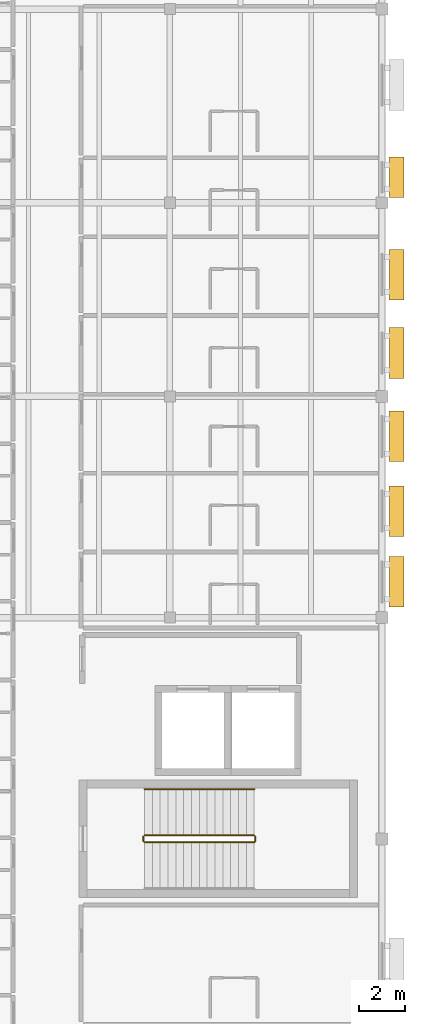
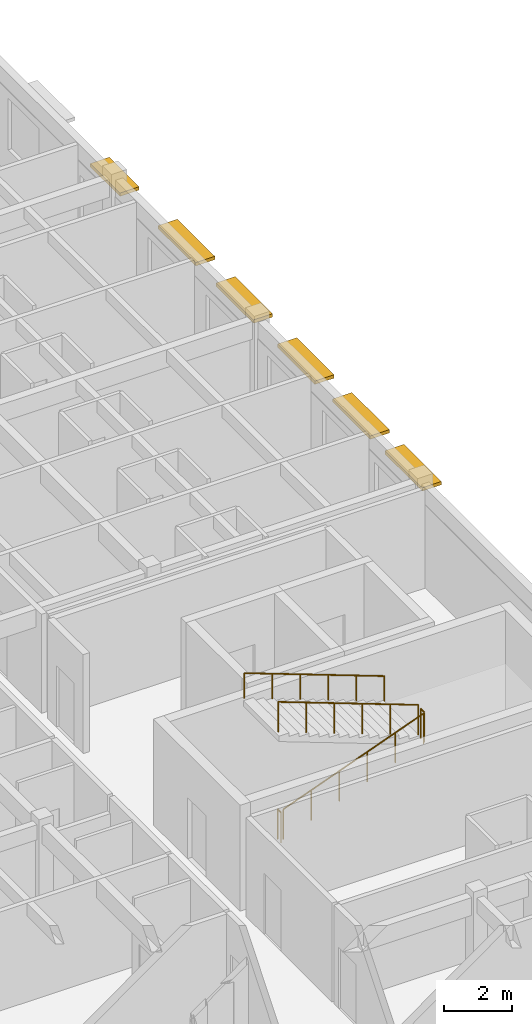
# One storey, part 19 of 22: 6 shading devices, 5 railings.
"""IFC4 building model written with IfcOpenShell, lengths in metres."""

import ifcopenshell
import ifcopenshell.guid

model = None  # the IFC model being written
_history = None  # IfcOwnerHistory: only IFC2X3 demands one
_inside = {}  # id of a spatial element -> (the spatial element, [elements in it])
_under = {}  # id of a project, library or spatial element -> (it, [spatial elements below it])
_declared = {}  # id of a project -> (the project, [libraries it declares])
_typed = {}  # id of a type object -> (the type object, [elements of that type])
_made_of = {}  # id of a material, layer set ... -> (it, [elements and type objects made of it])


def new_model(schema):
    """Start an empty IFC model of exactly this schema.

    Asked for "IFC4X3", IfcOpenShell would pick the latest addendum, in which some entities
    have other attributes; the version numbers below select the first issue.
    IFC2X3 requires an IfcOwnerHistory on every rooted entity: one is made here for all.
    """
    global model, _history
    if schema == "IFC4X3":
        model = ifcopenshell.file(schema_version=(4, 3, 0, 0))
    else:
        model = ifcopenshell.file(schema=schema)
    _inside.clear()
    _under.clear()
    _declared.clear()
    _typed.clear()
    _made_of.clear()
    _history = None
    if model.schema == "IFC2X3":
        org = make("IfcOrganization", Name="unknown")
        user = make(
            "IfcPersonAndOrganization",
            ThePerson=make("IfcPerson", FamilyName="unknown"),
            TheOrganization=org,
        )
        app = make(
            "IfcApplication",
            ApplicationDeveloper=org,
            Version="unknown",
            ApplicationFullName="unknown",
            ApplicationIdentifier="unknown",
        )
        _history = make(
            "IfcOwnerHistory",
            OwningUser=user,
            OwningApplication=app,
            ChangeAction="ADDED",
            CreationDate=0,
        )
    return model


def make(cls, **values):
    """One entity of the class cls with the attributes given. An attribute that is None is left unset."""
    return model.create_entity(
        cls, **{name: value for name, value in values.items() if value is not None}
    )


def rooted(cls, **values):
    """An entity with a GlobalId (a new one), such as an element, a storey or a relation."""
    return make(cls, GlobalId=ifcopenshell.guid.new(), OwnerHistory=_history, **values)


def si_unit(unit_type, name, prefix=None):
    """IfcSIUnit, for example si_unit("LENGTHUNIT", "METRE", prefix="MILLI")."""
    return make("IfcSIUnit", UnitType=unit_type, Prefix=prefix, Name=name)


def assignment(units):
    """IfcUnitAssignment: the units of a project."""
    return None if units is None else make("IfcUnitAssignment", Units=units)


def point(xyz):
    """IfcCartesianPoint."""
    return None if xyz is None else make("IfcCartesianPoint", Coordinates=xyz)


def direction(xyz):
    """IfcDirection."""
    return None if xyz is None else make("IfcDirection", DirectionRatios=xyz)


def frame(location, z_axis=None, x_axis=None):
    """IfcAxis2Placement3D, a coordinate frame: its origin and axes. An axis left out is left unset."""
    return make(
        "IfcAxis2Placement3D",
        Location=point(location),
        Axis=direction(z_axis),
        RefDirection=direction(x_axis),
    )


def frame_2d(location, x_axis=None):
    """IfcAxis2Placement2D, a coordinate frame in the plane: its origin and x axis."""
    return make(
        "IfcAxis2Placement2D", Location=point(location), RefDirection=direction(x_axis)
    )


def origin():
    """The frame at (0, 0, 0) with its axes left unset."""
    return frame((0.0, 0.0, 0.0))


def origin_2d():
    """The frame at (0, 0) in the plane with its x axis left unset."""
    return frame_2d((0.0, 0.0))


def place(relative_to, where):
    """IfcLocalPlacement: puts the frame where relative to a parent placement (None: the world)."""
    return make(
        "IfcLocalPlacement", PlacementRelTo=relative_to, RelativePlacement=where
    )


def context(
    kind, dimensions, precision=None, world=None, true_north=None, identifier=None
):
    """IfcGeometricRepresentationContext, for example the 3D "Model" context."""
    return make(
        "IfcGeometricRepresentationContext",
        ContextIdentifier=identifier,
        ContextType=kind,
        CoordinateSpaceDimension=dimensions,
        Precision=precision,
        WorldCoordinateSystem=world,
        TrueNorth=true_north,
    )


def subcontext(parent, identifier, kind, view, scale=None):
    """IfcGeometricRepresentationSubContext, for example "Body" below "Model"."""
    return make(
        "IfcGeometricRepresentationSubContext",
        ContextIdentifier=identifier,
        ContextType=kind,
        ParentContext=parent,
        TargetScale=scale,
        TargetView=view,
    )


def project(units=None, contexts=None):
    """IfcProject with its units and contexts."""
    return rooted(
        "IfcProject",
        Name="project",
        RepresentationContexts=contexts,
        UnitsInContext=assignment(units),
    )


def spatial(cls, under=None, at=None, **own):
    """A site, building, storey or space (cls), placed at a placement, below another one or the project."""
    s = rooted(cls, ObjectPlacement=at, **own)
    if under is not None:
        _under.setdefault(under.id(), (under, []))[1].append(s)
    return s


def profile(cls, at=None, kind="AREA", **sizes):
    """A parametric profile (cls). Its sizes go by their IFC names, for example OverallWidth=200.0."""
    return make(cls, ProfileType=kind, Position=at, **sizes)


def rectangle(**sizes):
    """IfcRectangleProfileDef."""
    return profile("IfcRectangleProfileDef", **sizes)


def circle(**sizes):
    """IfcCircleProfileDef."""
    return profile("IfcCircleProfileDef", **sizes)


def extrude(swept, where, along, depth):
    """IfcExtrudedAreaSolid: the profile swept, set in the frame where, extruded along a direction by depth."""
    return make(
        "IfcExtrudedAreaSolid",
        SweptArea=swept,
        Position=where,
        ExtrudedDirection=direction(along),
        Depth=depth,
    )


def shape(context_of_items, identifier, shape_type, items):
    """IfcShapeRepresentation: the items that make up one representation, for example the "Body"."""
    return make(
        "IfcShapeRepresentation",
        ContextOfItems=context_of_items,
        RepresentationIdentifier=identifier,
        RepresentationType=shape_type,
        Items=items,
    )


def material(Name=None, Category=None):
    """IfcMaterial."""
    return make("IfcMaterial", Name=Name, Category=Category)


def made_of(thing, what):
    """Note that an element or type object is made of a material, layer set ...; save() writes the relation."""
    if what is not None:
        _made_of.setdefault(what.id(), (what, []))[1].append(thing)
    return thing


def type_object(cls, material=None, **own):
    """A type object (cls), such as IfcWallType, which elements share."""
    return made_of(rooted(cls, **own), material)


def element(
    cls,
    number,
    at=None,
    inside=None,
    cuts=None,
    type_object=None,
    material=None,
    context=None,
    identifier="Body",
    shape_type=None,
    held_by="IfcProductDefinitionShape",
    body=None,
    shapes=None,
    **own,
):
    """One element of the class cls, such as IfcWall. Its Tag is "e" and its number.

    at: its placement. inside: the storey or other place that contains it. cuts: it is an
    opening in that element (IfcRelVoidsElement). A single representation is given by context,
    identifier, shape_type and body (its items); several are given by shapes. held_by: the class
    of the entity that holds the representations. save() writes the other relations.
    """
    e = rooted(cls, Tag="e%d" % number, ObjectPlacement=at, **own)
    if body is not None:
        shapes = [shape(context, identifier, shape_type, body)]
    if shapes is not None:
        e.Representation = make(held_by, Representations=shapes)
    if inside is not None:
        _inside.setdefault(inside.id(), (inside, []))[1].append(e)
    if cuts is not None:
        rooted(
            "IfcRelVoidsElement", RelatingBuildingElement=cuts, RelatedOpeningElement=e
        )
    if type_object is not None:
        _typed.setdefault(type_object.id(), (type_object, []))[1].append(e)
    return made_of(e, material)


def aggregate(whole, parts):
    """IfcRelAggregates: a whole, such as a stair, and the parts it consists of."""
    return rooted("IfcRelAggregates", RelatingObject=whole, RelatedObjects=parts)


def save(model, path):
    """Write the relations noted so far, then the file.

    IfcRelAggregates (storeys below a building ...), IfcRelContainedInSpatialStructure (elements
    in a storey), IfcRelDefinesByType, IfcRelAssociatesMaterial and IfcRelDeclares: one each for
    every whole, place, type object, material and project.
    """
    for whole, parts in _under.values():
        aggregate(whole, parts)
    for where, things in _inside.values():
        rooted(
            "IfcRelContainedInSpatialStructure",
            RelatedElements=things,
            RelatingStructure=where,
        )
    for kind, things in _typed.values():
        rooted("IfcRelDefinesByType", RelatedObjects=things, RelatingType=kind)
    for what, things in _made_of.values():
        rooted("IfcRelAssociatesMaterial", RelatedObjects=things, RelatingMaterial=what)
    for by, libraries in _declared.values():
        rooted("IfcRelDeclares", RelatingContext=by, RelatedDefinitions=libraries)
    model.write(path)


model = new_model("IFC4")

# Units and contexts
model_context = context("Model", 3, precision=1e-05, world=origin(), true_north=direction((0.0, 1.0)))
body_context = subcontext(model_context, "Body", "Model", "MODEL_VIEW")
ifc_project = project(units=[si_unit("LENGTHUNIT", "METRE"), si_unit("AREAUNIT", "SQUARE_METRE"), si_unit("VOLUMEUNIT", "CUBIC_METRE"), si_unit("PLANEANGLEUNIT", "RADIAN"), si_unit("MASSUNIT", "GRAM", prefix="KILO")], contexts=[model_context])

# Site, building, storey
site_placement = place(None, origin())
site = spatial("IfcSite", under=ifc_project, at=site_placement, CompositionType="ELEMENT")
building_placement = place(site_placement, origin())
building = spatial("IfcBuilding", under=site, at=building_placement, Name="Veldera Park Congress Hotel", CompositionType="ELEMENT")
storey_placement = place(building_placement, frame((0.0, 0.0, 23.800048828125)))
storey = spatial("IfcBuildingStorey", under=building, at=storey_placement, Name="L05", CompositionType="ELEMENT", Elevation=23.800048828125)

# Railings
ifc_material_1 = material(Name="Steel ASTM A992 Gr.50", Category="steel")
railing_type_1 = type_object("IfcRailingType", Name="GRD-ST110", PredefinedType="GUARDRAIL", material=ifc_material_1)
railing_1_placement = place(storey_placement, frame((73.699951171875, -9.14990234375, 0.126708984375)))
element("IfcRailing", 1, at=railing_1_placement, inside=storey, type_object=railing_type_1, Name="L05 ST2 stair guard 1", PredefinedType="GUARDRAIL", context=body_context, shape_type="SweptSolid", body=[
    extrude(circle(Radius=0.02392578125, at=origin_2d()), frame((0.0, 0.0, 1.076171875), z_axis=(0.937091363699, 0.0, 0.349084196263), x_axis=(0.0, 1.0, 0.0)), (0.0, 0.0, 1.0), 5.07958984375),
    extrude(circle(Radius=0.02099609375, at=origin_2d()), origin(), (0.0, 0.0, 1.0), 1.052001953125),
    extrude(circle(Radius=0.02099609375, at=origin_2d()), frame((0.951904296875, 0.0, 0.354736328125)), (0.0, 0.0, 1.0), 1.052001953125),
    extrude(circle(Radius=0.02099609375, at=origin_2d()), frame((1.904052734375, 0.0, 0.709228515625)), (0.0, 0.0, 1.0), 1.052001953125),
    extrude(circle(Radius=0.02099609375, at=origin_2d()), frame((2.85595703125, 0.0, 1.06396484375)), (0.0, 0.0, 1.0), 1.052001953125),
    extrude(circle(Radius=0.02099609375, at=origin_2d()), frame((3.80810546875, 0.0, 1.41845703125)), (0.0, 0.0, 1.0), 1.052001953125),
    extrude(circle(Radius=0.02099609375, at=origin_2d()), frame((4.760009765625, 0.0, 1.773193359375)), (0.0, 0.0, 1.0), 1.052001953125),
])
railing_2_placement = place(storey_placement, frame((78.510009765625, -9.10009765625, 1.89990234375)))
element("IfcRailing", 2, at=railing_2_placement, inside=storey, type_object=railing_type_1, Name="L05 ST2 stair guard 2", PredefinedType="GUARDRAIL", context=body_context, shape_type="SweptSolid", body=[
    extrude(circle(Radius=0.02392578125, at=origin_2d()), frame((0.0, 0.0, 1.076171875), z_axis=(0.0, 1.0, 0.0), x_axis=(-1.0, 0.0, 0.0)), (0.0, 0.0, 1.0), 0.2001953125),
    extrude(circle(Radius=0.02099609375, at=origin_2d()), origin(), (0.0, 0.0, 1.0), 1.052001953125),
    extrude(circle(Radius=0.02099609375, at=origin_2d()), frame((0.0, 0.2001953125, 0.0)), (0.0, 0.0, 1.0), 1.052001953125),
])
railing_3_placement = place(storey_placement, frame((78.4599609375, -8.85009765625, 2.026611328125)))
element("IfcRailing", 3, at=railing_3_placement, inside=storey, type_object=railing_type_1, Name="L05 ST2 stair guard 3", PredefinedType="GUARDRAIL", context=body_context, shape_type="SweptSolid", body=[
    extrude(circle(Radius=0.02392578125, at=origin_2d()), frame((0.0, 0.0, 1.076171875), z_axis=(-0.937075640343, 0.0, 0.349126401572), x_axis=(0.0, -1.0, 0.0)), (0.0, 0.0, 1.0), 5.07958984375),
    extrude(circle(Radius=0.02099609375, at=origin_2d()), origin(), (0.0, 0.0, 1.0), 1.052001953125),
    extrude(circle(Radius=0.02099609375, at=origin_2d()), frame((-0.951904296875, 0.0, 0.354736328125)), (0.0, 0.0, 1.0), 1.052001953125),
    extrude(circle(Radius=0.02099609375, at=origin_2d()), frame((-1.904052734375, 0.0, 0.70947265625)), (0.0, 0.0, 1.0), 1.052001953125),
    extrude(circle(Radius=0.02099609375, at=origin_2d()), frame((-2.85595703125, 0.0, 1.06396484375)), (0.0, 0.0, 1.0), 1.052001953125),
    extrude(circle(Radius=0.02099609375, at=origin_2d()), frame((-3.80810546875, 0.0, 1.418701171875)), (0.0, 0.0, 1.0), 1.052001953125),
    extrude(circle(Radius=0.02099609375, at=origin_2d()), frame((-4.760009765625, 0.0, 1.7734375)), (0.0, 0.0, 1.0), 1.052001953125),
])
railing_4_placement = place(storey_placement, frame((73.64990234375, -9.10009765625, 0.0)))
element("IfcRailing", 4, at=railing_4_placement, inside=storey, type_object=railing_type_1, Name="L05 ST2 stair guard 4", PredefinedType="GUARDRAIL", context=body_context, shape_type="SweptSolid", body=[
    extrude(circle(Radius=0.02392578125, at=origin_2d()), frame((0.0, 0.0, 1.076171875), z_axis=(0.0, 1.0, 0.0), x_axis=(-1.0, 0.0, 0.0)), (0.0, 0.0, 1.0), 0.2001953125),
    extrude(circle(Radius=0.02099609375, at=origin_2d()), origin(), (0.0, 0.0, 1.0), 1.052001953125),
    extrude(circle(Radius=0.02099609375, at=origin_2d()), frame((0.0, 0.2001953125, 0.0)), (0.0, 0.0, 1.0), 1.052001953125),
])
railing_type_2 = type_object("IfcRailingType", Name="HRL-920", PredefinedType="HANDRAIL", material=ifc_material_1)
railing_5_placement = place(storey_placement, frame((78.4599609375, -6.85009765625, 2.026611328125)))
element("IfcRailing", 5, at=railing_5_placement, inside=storey, type_object=railing_type_2, Name="L05 ST2 stair handrail 2", PredefinedType="HANDRAIL", context=body_context, shape_type="SweptSolid", body=[
    extrude(circle(Radius=0.02392578125, at=origin_2d()), frame((0.0, 0.0, 0.89599609375), z_axis=(-0.937075640343, 0.0, 0.349126401572), x_axis=(0.0, -1.0, 0.0)), (0.0, 0.0, 1.0), 5.07958984375),
    extrude(circle(Radius=0.02099609375, at=origin_2d()), origin(), (0.0, 0.0, 1.0), 0.871826171875),
    extrude(circle(Radius=0.02099609375, at=origin_2d()), frame((-0.951904296875, 0.0, 0.354736328125)), (0.0, 0.0, 1.0), 0.871826171875),
    extrude(circle(Radius=0.02099609375, at=origin_2d()), frame((-1.904052734375, 0.0, 0.70947265625)), (0.0, 0.0, 1.0), 0.871826171875),
    extrude(circle(Radius=0.02099609375, at=origin_2d()), frame((-2.85595703125, 0.0, 1.06396484375)), (0.0, 0.0, 1.0), 0.871826171875),
    extrude(circle(Radius=0.02099609375, at=origin_2d()), frame((-3.80810546875, 0.0, 1.418701171875)), (0.0, 0.0, 1.0), 0.871826171875),
    extrude(circle(Radius=0.02099609375, at=origin_2d()), frame((-4.760009765625, 0.0, 1.7734375)), (0.0, 0.0, 1.0), 0.871826171875),
])

# Shading devices
ifc_material_2 = material(Name="Glulam GL28h (NDS 24F-V4)", Category="wood")
shading_device_type = type_object("IfcShadingDeviceType", Name="SHD-LVR300", PredefinedType="JALOUSIE", material=ifc_material_2)
for number, where, z_axis, x_axis, name in (
    (6, (84.635009765625, 2.154052734375, 2.719970703125), (0.0, 0.0, 1.0), (0.0, 1.0, 0.0), "Glulam Solar Shade 417"),
    (7, (84.635009765625, 5.219970703125, 2.719970703125), (0.0, 0.0, 1.0), (0.0, 1.0, 0.0), "Glulam Solar Shade 418"),
    (8, (84.635009765625, 8.466064453125, 2.719970703125), (0.0, 0.0, 1.0), (0.0, 1.0, 0.0), "Glulam Solar Shade 419"),
    (9, (84.635009765625, 12.083984375, 2.719970703125), (0.0, 0.0, 1.0), (0.0, 1.0, 0.0), "Glulam Solar Shade 420"),
    (10, (84.635009765625, 15.47998046875, 2.719970703125), (0.0, 0.0, 1.0), (0.0, 1.0, 0.0), "Glulam Solar Shade 421"),
):
    element("IfcShadingDevice", number, at=place(storey_placement, frame(where, z_axis=z_axis, x_axis=x_axis)), inside=storey, type_object=shading_device_type, Name=name, PredefinedType="JALOUSIE", context=body_context, shape_type="SweptSolid", body=[
        extrude(rectangle(XDim=2.199951171875, YDim=0.64990234375, at=origin_2d()), origin(), (0.0, 0.0, 1.0), 0.1201171875),
    ])
shading_device_placement = place(storey_placement, frame((84.635009765625, 19.7041015625, 2.519775390625), z_axis=(0.0, 0.0, 1.0), x_axis=(0.0, 1.0, 0.0)))
element("IfcShadingDevice", 11, at=shading_device_placement, inside=storey, type_object=shading_device_type, Name="Glulam Solar Shade 422", PredefinedType="JALOUSIE", context=body_context, shape_type="SweptSolid", body=[
    extrude(rectangle(XDim=1.75, YDim=0.64990234375, at=origin_2d()), origin(), (0.0, 0.0, 1.0), 0.1201171875),
])

save(model, "model.ifc")
